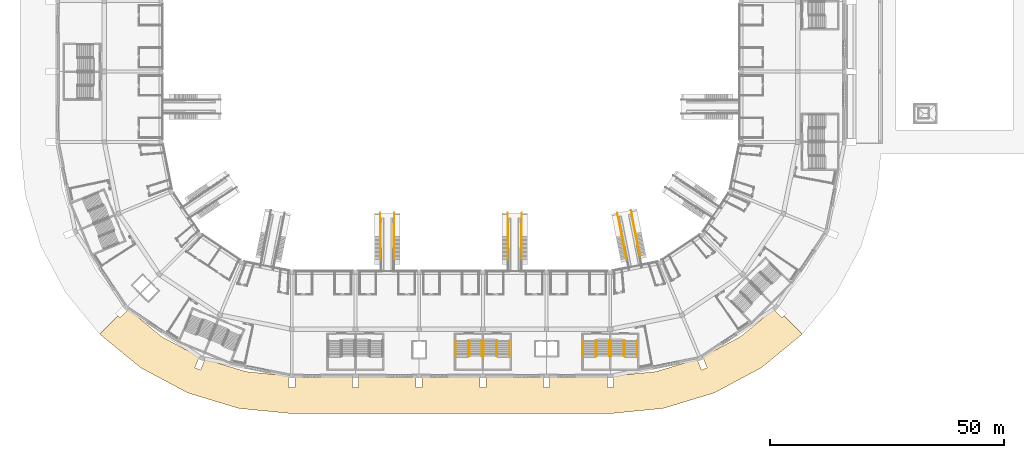
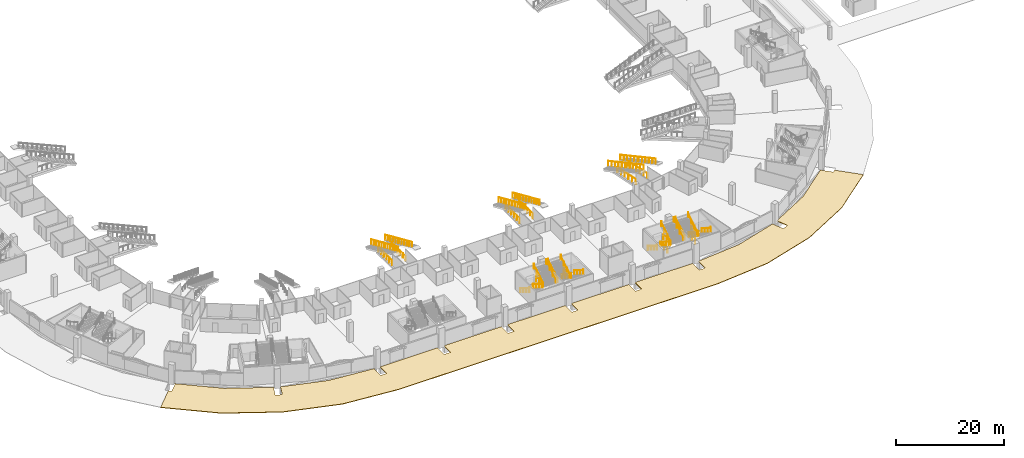
# One storey, part 156 of 175: 40 railings, 1 covering.
"""IFC4 building model written with IfcOpenShell, lengths in metres."""

from ifc_helpers import new_model, si_unit, direction, frame, origin, origin_2d, place, context, subcontext, project, spatial, polyline, circle, outline, extrude, material, layer, layer_set, type_object, element, save


model = new_model("IFC4")

# Units and contexts
model_context = context("Model", 3, precision=1e-05, world=origin(), true_north=direction((0.0, 1.0)))
body_context = subcontext(model_context, "Body", "Model", "MODEL_VIEW")
ifc_project = project(units=[si_unit("LENGTHUNIT", "METRE"), si_unit("AREAUNIT", "SQUARE_METRE"), si_unit("VOLUMEUNIT", "CUBIC_METRE"), si_unit("PLANEANGLEUNIT", "RADIAN"), si_unit("MASSUNIT", "GRAM", prefix="KILO")], contexts=[model_context])

# Site, building, storey
site_placement = place(None, origin())
site = spatial("IfcSite", under=ifc_project, at=site_placement, CompositionType="ELEMENT")
building_placement = place(site_placement, origin())
building = spatial("IfcBuilding", under=site, at=building_placement, Name="Ogive Plaza Stadium", CompositionType="ELEMENT")
storey_placement = place(building_placement, origin())
storey = spatial("IfcBuildingStorey", under=building, at=storey_placement, Name="L00", CompositionType="ELEMENT", Elevation=0.0)

# Railings
ifc_material_1 = material(Name="Steel ASTM A572 Grade 50", Category="steel")
railing_type_1 = type_object("IfcRailingType", Name="Guard 1100", PredefinedType="GUARDRAIL", material=ifc_material_1)
for number, where, name in (
    (1, (31.02490234375, -94.85009765625, 0.0), "Stair well guard ST12A L00"),
    (2, (31.02490234375, -95.81005859375, 2.25), "Stair well guard ST12A L00"),
    (3, (36.97509765625, -94.85009765625, 0.0), "Stair well guard ST12B L00"),
    (4, (36.97509765625, -95.81005859375, 2.25), "Stair well guard ST12B L00"),
    (5, (3.824951171875, -95.81005859375, 2.25), "Stair well guard ST14A L00"),
    (6, (9.77490234375, -95.81005859375, 2.25), "Stair well guard ST14B L00"),
):
    element("IfcRailing", number, at=place(storey_placement, frame(where)), inside=storey, type_object=railing_type_1, Name=name, PredefinedType="GUARDRAIL", context=body_context, shape_type="SweptSolid", body=[
        extrude(circle(Radius=0.02392578125, at=origin_2d()), frame((0.0, 0.0, 1.076171875), z_axis=(0.0, -1.0, 0.0), x_axis=(1.0, 0.0, 0.0)), (0.0, 0.0, 1.0), 2.39990234375),
        extrude(circle(Radius=0.02099609375, at=origin_2d()), origin(), (0.0, 0.0, 1.0), 1.052001953125),
        extrude(circle(Radius=0.02099609375, at=origin_2d()), frame((0.0, -1.199951171875, 0.0)), (0.0, 0.0, 1.0), 1.052001953125),
        extrude(circle(Radius=0.02099609375, at=origin_2d()), frame((0.0, -2.39990234375, 0.0)), (0.0, 0.0, 1.0), 1.052001953125),
    ])
for number, where, name in (
    (7, (35.484375, -67.651611328125, 0.125), "Vomitory guard B11"),
    (8, (36.4794921875, -72.653564453125, 2.375), "Vomitory guard B11"),
    (9, (38.4267578125, -67.066162109375, 0.125), "Vomitory guard B11"),
):
    element("IfcRailing", number, at=place(storey_placement, frame(where)), inside=storey, type_object=railing_type_1, Name=name, PredefinedType="GUARDRAIL", context=body_context, shape_type="SweptSolid", body=[
        extrude(circle(Radius=0.02392578125, at=origin_2d()), frame((0.0, 0.0, 1.076171875), z_axis=(0.178493692695, -0.897337738024, 0.403639672959), x_axis=(0.980784837267, 0.1950925498, 0.0)), (0.0, 0.0, 1.0), 5.2646484375),
        extrude(circle(Radius=0.02099609375, at=origin_2d()), origin(), (0.0, 0.0, 1.0), 1.052001953125),
        extrude(circle(Radius=0.02099609375, at=origin_2d()), frame((0.18798828125, -0.94482421875, 0.425048828125)), (0.0, 0.0, 1.0), 1.052001953125),
        extrude(circle(Radius=0.02099609375, at=origin_2d()), frame((0.3759765625, -1.8896484375, 0.85009765625)), (0.0, 0.0, 1.0), 1.052001953125),
        extrude(circle(Radius=0.02099609375, at=origin_2d()), frame((0.563720703125, -2.83447265625, 1.27490234375)), (0.0, 0.0, 1.0), 1.052001953125),
        extrude(circle(Radius=0.02099609375, at=origin_2d()), frame((0.751708984375, -3.779296875, 1.699951171875)), (0.0, 0.0, 1.0), 1.052001953125),
        extrude(circle(Radius=0.02099609375, at=origin_2d()), frame((0.939697265625, -4.72412109375, 2.125)), (0.0, 0.0, 1.0), 1.052001953125),
    ])
railing_placement = place(storey_placement, frame((39.421875, -72.068359375, 2.375)))
element("IfcRailing", 10, at=railing_placement, inside=storey, type_object=railing_type_1, Name="Vomitory guard B11", PredefinedType="GUARDRAIL", context=body_context, shape_type="SweptSolid", body=[
    extrude(circle(Radius=0.02392578125, at=origin_2d()), frame((0.0, 0.0, 1.076171875), z_axis=(0.178448795571, -0.897345164841, 0.403643013684), x_axis=(0.980794534709, 0.195043791709, 0.0)), (0.0, 0.0, 1.0), 5.2646484375),
    extrude(circle(Radius=0.02099609375, at=origin_2d()), origin(), (0.0, 0.0, 1.0), 1.052001953125),
    extrude(circle(Radius=0.02099609375, at=origin_2d()), frame((0.18798828125, -0.94482421875, 0.425048828125)), (0.0, 0.0, 1.0), 1.052001953125),
    extrude(circle(Radius=0.02099609375, at=origin_2d()), frame((0.375732421875, -1.8896484375, 0.85009765625)), (0.0, 0.0, 1.0), 1.052001953125),
    extrude(circle(Radius=0.02099609375, at=origin_2d()), frame((0.563720703125, -2.83447265625, 1.27490234375)), (0.0, 0.0, 1.0), 1.052001953125),
    extrude(circle(Radius=0.02099609375, at=origin_2d()), frame((0.75146484375, -3.779296875, 1.699951171875)), (0.0, 0.0, 1.0), 1.052001953125),
    extrude(circle(Radius=0.02099609375, at=origin_2d()), frame((0.939453125, -4.72412109375, 2.125)), (0.0, 0.0, 1.0), 1.052001953125),
])
for number, where, name in (
    (11, (36.04931640625, -70.081298828125, 0.0), "Vomitory edge guard B11"),
    (12, (38.834716796875, -69.52734375, 0.0), "Vomitory edge guard B11"),
):
    element("IfcRailing", number, at=place(storey_placement, frame(where)), inside=storey, type_object=railing_type_1, Name=name, PredefinedType="GUARDRAIL", context=body_context, shape_type="SweptSolid", body=[
        extrude(circle(Radius=0.02392578125, at=origin_2d()), frame((0.0, 0.0, 1.076171875), z_axis=(0.195105414578, -0.980782278185, 0.0), x_axis=(0.980782278185, 0.195105414578, 0.0)), (0.0, 0.0, 1.0), 5.15673828125),
        extrude(circle(Radius=0.02099609375, at=origin_2d()), origin(), (0.0, 0.0, 1.0), 1.052001953125),
        extrude(circle(Radius=0.02099609375, at=origin_2d()), frame((0.201171875, -1.011474609375, 0.0)), (0.0, 0.0, 1.0), 1.052001953125),
        extrude(circle(Radius=0.02099609375, at=origin_2d()), frame((0.40234375, -2.02294921875, 0.0)), (0.0, 0.0, 1.0), 1.052001953125),
        extrude(circle(Radius=0.02099609375, at=origin_2d()), frame((0.603759765625, -3.03466796875, 0.0)), (0.0, 0.0, 1.0), 1.052001953125),
        extrude(circle(Radius=0.02099609375, at=origin_2d()), frame((0.804931640625, -4.046142578125, 0.0)), (0.0, 0.0, 1.0), 1.052001953125),
        extrude(circle(Radius=0.02099609375, at=origin_2d()), frame((1.006103515625, -5.0576171875, 0.0)), (0.0, 0.0, 1.0), 1.052001953125),
    ])
for number, where, name in (
    (13, (12.10009765625, -67.64990234375, 0.125), "Vomitory guard B13"),
    (14, (12.10009765625, -72.75, 2.375), "Vomitory guard B13"),
    (15, (15.10009765625, -67.64990234375, 0.125), "Vomitory guard B13"),
    (16, (15.10009765625, -72.75, 2.375), "Vomitory guard B13"),
):
    element("IfcRailing", number, at=place(storey_placement, frame(where)), inside=storey, type_object=railing_type_1, Name=name, PredefinedType="GUARDRAIL", context=body_context, shape_type="SweptSolid", body=[
        extrude(circle(Radius=0.02392578125, at=origin_2d()), frame((0.0, 0.0, 1.076171875), z_axis=(0.0, -0.914917297869, 0.403641348302), x_axis=(1.0, 0.0, 0.0)), (0.0, 0.0, 1.0), 5.2646484375),
        extrude(circle(Radius=0.02099609375, at=origin_2d()), origin(), (0.0, 0.0, 1.0), 1.052001953125),
        extrude(circle(Radius=0.02099609375, at=origin_2d()), frame((0.0, -0.96337890625, 0.425048828125)), (0.0, 0.0, 1.0), 1.052001953125),
        extrude(circle(Radius=0.02099609375, at=origin_2d()), frame((0.0, -1.9267578125, 0.85009765625)), (0.0, 0.0, 1.0), 1.052001953125),
        extrude(circle(Radius=0.02099609375, at=origin_2d()), frame((0.0, -2.889892578125, 1.27490234375)), (0.0, 0.0, 1.0), 1.052001953125),
        extrude(circle(Radius=0.02099609375, at=origin_2d()), frame((0.0, -3.853271484375, 1.699951171875)), (0.0, 0.0, 1.0), 1.052001953125),
        extrude(circle(Radius=0.02099609375, at=origin_2d()), frame((0.0, -4.816650390625, 2.125)), (0.0, 0.0, 1.0), 1.052001953125),
    ])
for number, where, name in (
    (17, (12.179931640625, -70.143310546875, 0.0), "Vomitory edge guard B13"),
    (18, (15.02001953125, -70.143310546875, 0.0), "Vomitory edge guard B13"),
):
    element("IfcRailing", number, at=place(storey_placement, frame(where)), inside=storey, type_object=railing_type_1, Name=name, PredefinedType="GUARDRAIL", context=body_context, shape_type="SweptSolid", body=[
        extrude(circle(Radius=0.02392578125, at=origin_2d()), frame((0.0, 0.0, 1.076171875), z_axis=(0.0, -1.0, 0.0), x_axis=(1.0, 0.0, 0.0)), (0.0, 0.0, 1.0), 5.15673828125),
        extrude(circle(Radius=0.02099609375, at=origin_2d()), origin(), (0.0, 0.0, 1.0), 1.052001953125),
        extrude(circle(Radius=0.02099609375, at=origin_2d()), frame((0.0, -1.03125, 0.0)), (0.0, 0.0, 1.0), 1.052001953125),
        extrude(circle(Radius=0.02099609375, at=origin_2d()), frame((0.0, -2.062744140625, 0.0)), (0.0, 0.0, 1.0), 1.052001953125),
        extrude(circle(Radius=0.02099609375, at=origin_2d()), frame((0.0, -3.093994140625, 0.0)), (0.0, 0.0, 1.0), 1.052001953125),
        extrude(circle(Radius=0.02099609375, at=origin_2d()), frame((0.0, -4.12548828125, 0.0)), (0.0, 0.0, 1.0), 1.052001953125),
        extrude(circle(Radius=0.02099609375, at=origin_2d()), frame((0.0, -5.15673828125, 0.0)), (0.0, 0.0, 1.0), 1.052001953125),
    ])
for number, where, name in (
    (19, (-15.10009765625, -67.64990234375, 0.125), "Vomitory guard B15"),
    (20, (-15.10009765625, -72.75, 2.375), "Vomitory guard B15"),
    (21, (-12.10009765625, -67.64990234375, 0.125), "Vomitory guard B15"),
    (22, (-12.10009765625, -72.75, 2.375), "Vomitory guard B15"),
):
    element("IfcRailing", number, at=place(storey_placement, frame(where)), inside=storey, type_object=railing_type_1, Name=name, PredefinedType="GUARDRAIL", context=body_context, shape_type="SweptSolid", body=[
        extrude(circle(Radius=0.02392578125, at=origin_2d()), frame((0.0, 0.0, 1.076171875), z_axis=(0.0, -0.914917297869, 0.403641348302), x_axis=(1.0, 0.0, 0.0)), (0.0, 0.0, 1.0), 5.2646484375),
        extrude(circle(Radius=0.02099609375, at=origin_2d()), origin(), (0.0, 0.0, 1.0), 1.052001953125),
        extrude(circle(Radius=0.02099609375, at=origin_2d()), frame((0.0, -0.96337890625, 0.425048828125)), (0.0, 0.0, 1.0), 1.052001953125),
        extrude(circle(Radius=0.02099609375, at=origin_2d()), frame((0.0, -1.9267578125, 0.85009765625)), (0.0, 0.0, 1.0), 1.052001953125),
        extrude(circle(Radius=0.02099609375, at=origin_2d()), frame((0.0, -2.889892578125, 1.27490234375)), (0.0, 0.0, 1.0), 1.052001953125),
        extrude(circle(Radius=0.02099609375, at=origin_2d()), frame((0.0, -3.853271484375, 1.699951171875)), (0.0, 0.0, 1.0), 1.052001953125),
        extrude(circle(Radius=0.02099609375, at=origin_2d()), frame((0.0, -4.816650390625, 2.125)), (0.0, 0.0, 1.0), 1.052001953125),
    ])
for number, where, name in (
    (23, (-15.02001953125, -70.143310546875, 0.0), "Vomitory edge guard B15"),
    (24, (-12.179931640625, -70.143310546875, 0.0), "Vomitory edge guard B15"),
):
    element("IfcRailing", number, at=place(storey_placement, frame(where)), inside=storey, type_object=railing_type_1, Name=name, PredefinedType="GUARDRAIL", context=body_context, shape_type="SweptSolid", body=[
        extrude(circle(Radius=0.02392578125, at=origin_2d()), frame((0.0, 0.0, 1.076171875), z_axis=(0.0, -1.0, 0.0), x_axis=(1.0, 0.0, 0.0)), (0.0, 0.0, 1.0), 5.15673828125),
        extrude(circle(Radius=0.02099609375, at=origin_2d()), origin(), (0.0, 0.0, 1.0), 1.052001953125),
        extrude(circle(Radius=0.02099609375, at=origin_2d()), frame((0.0, -1.03125, 0.0)), (0.0, 0.0, 1.0), 1.052001953125),
        extrude(circle(Radius=0.02099609375, at=origin_2d()), frame((0.0, -2.062744140625, 0.0)), (0.0, 0.0, 1.0), 1.052001953125),
        extrude(circle(Radius=0.02099609375, at=origin_2d()), frame((0.0, -3.093994140625, 0.0)), (0.0, 0.0, 1.0), 1.052001953125),
        extrude(circle(Radius=0.02099609375, at=origin_2d()), frame((0.0, -4.12548828125, 0.0)), (0.0, 0.0, 1.0), 1.052001953125),
        extrude(circle(Radius=0.02099609375, at=origin_2d()), frame((0.0, -5.15673828125, 0.0)), (0.0, 0.0, 1.0), 1.052001953125),
    ])
ifc_material_2 = material(Name="Steel ASTM A572 Grade 50", Category="steel")
railing_type_2 = type_object("IfcRailingType", Name="Handrail 900", PredefinedType="HANDRAIL", material=ifc_material_2)
for number, where, name in (
    (25, (28.235107421875, -94.85009765625, 0.173095703125), "Handrail ST12A L00"),
    (26, (30.9150390625, -94.85009765625, 0.173095703125), "Handrail ST12A L00"),
):
    element("IfcRailing", number, at=place(storey_placement, frame(where)), inside=storey, type_object=railing_type_2, Name=name, PredefinedType="HANDRAIL", context=body_context, shape_type="SweptSolid", body=[
        extrude(circle(Radius=0.02392578125, at=origin_2d()), frame((0.0, 0.0, 0.8759765625), z_axis=(0.0, -0.850606129759, 0.525803396734), x_axis=(1.0, 0.0, 0.0)), (0.0, 0.0, 1.0), 3.949951171875),
        extrude(circle(Radius=0.02099609375, at=origin_2d()), origin(), (0.0, 0.0, 1.0), 0.851806640625),
        extrude(circle(Radius=0.02099609375, at=origin_2d()), frame((0.0, -1.119873046875, 0.6923828125)), (0.0, 0.0, 1.0), 0.851806640625),
        extrude(circle(Radius=0.02099609375, at=origin_2d()), frame((0.0, -2.239990234375, 1.384521484375)), (0.0, 0.0, 1.0), 0.851806640625),
        extrude(circle(Radius=0.02099609375, at=origin_2d()), frame((0.0, -3.35986328125, 2.076904296875)), (0.0, 0.0, 1.0), 1.10009765625),
    ])
for number, where, name in (
    (27, (31.135009765625, -98.2099609375, 2.423095703125), "Handrail ST12A L00"),
    (28, (33.81494140625, -98.2099609375, 2.423095703125), "Handrail ST12A L00"),
):
    element("IfcRailing", number, at=place(storey_placement, frame(where)), inside=storey, type_object=railing_type_2, Name=name, PredefinedType="HANDRAIL", context=body_context, shape_type="SweptSolid", body=[
        extrude(circle(Radius=0.02392578125, at=origin_2d()), frame((0.0, 0.0, 0.8759765625), z_axis=(0.0, 0.850606129759, 0.525803396734), x_axis=(-1.0, 0.0, 0.0)), (0.0, 0.0, 1.0), 3.949951171875),
        extrude(circle(Radius=0.02099609375, at=origin_2d()), origin(), (0.0, 0.0, 1.0), 0.851806640625),
        extrude(circle(Radius=0.02099609375, at=origin_2d()), frame((0.0, 1.119873046875, 0.6923828125)), (0.0, 0.0, 1.0), 0.851806640625),
        extrude(circle(Radius=0.02099609375, at=origin_2d()), frame((0.0, 2.239990234375, 1.384521484375)), (0.0, 0.0, 1.0), 0.851806640625),
        extrude(circle(Radius=0.02099609375, at=origin_2d()), frame((0.0, 3.35986328125, 2.076904296875)), (0.0, 0.0, 1.0), 1.10009765625),
    ])
for number, where, name in (
    (29, (37.0849609375, -94.85009765625, 0.173095703125), "Handrail ST12B L00"),
    (30, (39.764892578125, -94.85009765625, 0.173095703125), "Handrail ST12B L00"),
):
    element("IfcRailing", number, at=place(storey_placement, frame(where)), inside=storey, type_object=railing_type_2, Name=name, PredefinedType="HANDRAIL", context=body_context, shape_type="SweptSolid", body=[
        extrude(circle(Radius=0.02392578125, at=origin_2d()), frame((0.0, 0.0, 0.8759765625), z_axis=(0.0, -0.850606129759, 0.525803396734), x_axis=(1.0, 0.0, 0.0)), (0.0, 0.0, 1.0), 3.949951171875),
        extrude(circle(Radius=0.02099609375, at=origin_2d()), origin(), (0.0, 0.0, 1.0), 0.851806640625),
        extrude(circle(Radius=0.02099609375, at=origin_2d()), frame((0.0, -1.119873046875, 0.6923828125)), (0.0, 0.0, 1.0), 0.851806640625),
        extrude(circle(Radius=0.02099609375, at=origin_2d()), frame((0.0, -2.239990234375, 1.384521484375)), (0.0, 0.0, 1.0), 0.851806640625),
        extrude(circle(Radius=0.02099609375, at=origin_2d()), frame((0.0, -3.35986328125, 2.076904296875)), (0.0, 0.0, 1.0), 1.10009765625),
    ])
for number, where, name in (
    (31, (34.18505859375, -98.2099609375, 2.423095703125), "Handrail ST12B L00"),
    (32, (36.864990234375, -98.2099609375, 2.423095703125), "Handrail ST12B L00"),
):
    element("IfcRailing", number, at=place(storey_placement, frame(where)), inside=storey, type_object=railing_type_2, Name=name, PredefinedType="HANDRAIL", context=body_context, shape_type="SweptSolid", body=[
        extrude(circle(Radius=0.02392578125, at=origin_2d()), frame((0.0, 0.0, 0.8759765625), z_axis=(0.0, 0.850606129759, 0.525803396734), x_axis=(-1.0, 0.0, 0.0)), (0.0, 0.0, 1.0), 3.949951171875),
        extrude(circle(Radius=0.02099609375, at=origin_2d()), origin(), (0.0, 0.0, 1.0), 0.851806640625),
        extrude(circle(Radius=0.02099609375, at=origin_2d()), frame((0.0, 1.119873046875, 0.6923828125)), (0.0, 0.0, 1.0), 0.851806640625),
        extrude(circle(Radius=0.02099609375, at=origin_2d()), frame((0.0, 2.239990234375, 1.384521484375)), (0.0, 0.0, 1.0), 0.851806640625),
        extrude(circle(Radius=0.02099609375, at=origin_2d()), frame((0.0, 3.35986328125, 2.076904296875)), (0.0, 0.0, 1.0), 1.10009765625),
    ])
for number, where, name in (
    (33, (1.034912109375, -94.85009765625, 0.173095703125), "Handrail ST14A L00"),
    (34, (3.715087890625, -94.85009765625, 0.173095703125), "Handrail ST14A L00"),
):
    element("IfcRailing", number, at=place(storey_placement, frame(where)), inside=storey, type_object=railing_type_2, Name=name, PredefinedType="HANDRAIL", context=body_context, shape_type="SweptSolid", body=[
        extrude(circle(Radius=0.02392578125, at=origin_2d()), frame((0.0, 0.0, 0.8759765625), z_axis=(0.0, -0.850606129759, 0.525803396734), x_axis=(1.0, 0.0, 0.0)), (0.0, 0.0, 1.0), 3.949951171875),
        extrude(circle(Radius=0.02099609375, at=origin_2d()), origin(), (0.0, 0.0, 1.0), 0.851806640625),
        extrude(circle(Radius=0.02099609375, at=origin_2d()), frame((0.0, -1.119873046875, 0.6923828125)), (0.0, 0.0, 1.0), 0.851806640625),
        extrude(circle(Radius=0.02099609375, at=origin_2d()), frame((0.0, -2.239990234375, 1.384521484375)), (0.0, 0.0, 1.0), 0.851806640625),
        extrude(circle(Radius=0.02099609375, at=origin_2d()), frame((0.0, -3.35986328125, 2.076904296875)), (0.0, 0.0, 1.0), 1.10009765625),
    ])
for number, where, name in (
    (35, (3.93505859375, -98.2099609375, 2.423095703125), "Handrail ST14A L00"),
    (36, (6.614990234375, -98.2099609375, 2.423095703125), "Handrail ST14A L00"),
):
    element("IfcRailing", number, at=place(storey_placement, frame(where)), inside=storey, type_object=railing_type_2, Name=name, PredefinedType="HANDRAIL", context=body_context, shape_type="SweptSolid", body=[
        extrude(circle(Radius=0.02392578125, at=origin_2d()), frame((0.0, 0.0, 0.8759765625), z_axis=(0.0, 0.850606129759, 0.525803396734), x_axis=(-1.0, 0.0, 0.0)), (0.0, 0.0, 1.0), 3.949951171875),
        extrude(circle(Radius=0.02099609375, at=origin_2d()), origin(), (0.0, 0.0, 1.0), 0.851806640625),
        extrude(circle(Radius=0.02099609375, at=origin_2d()), frame((0.0, 1.119873046875, 0.6923828125)), (0.0, 0.0, 1.0), 0.851806640625),
        extrude(circle(Radius=0.02099609375, at=origin_2d()), frame((0.0, 2.239990234375, 1.384521484375)), (0.0, 0.0, 1.0), 0.851806640625),
        extrude(circle(Radius=0.02099609375, at=origin_2d()), frame((0.0, 3.35986328125, 2.076904296875)), (0.0, 0.0, 1.0), 1.10009765625),
    ])
for number, where, name in (
    (37, (9.885009765625, -94.85009765625, 0.173095703125), "Handrail ST14B L00"),
    (38, (12.56494140625, -94.85009765625, 0.173095703125), "Handrail ST14B L00"),
):
    element("IfcRailing", number, at=place(storey_placement, frame(where)), inside=storey, type_object=railing_type_2, Name=name, PredefinedType="HANDRAIL", context=body_context, shape_type="SweptSolid", body=[
        extrude(circle(Radius=0.02392578125, at=origin_2d()), frame((0.0, 0.0, 0.8759765625), z_axis=(0.0, -0.850606129759, 0.525803396734), x_axis=(1.0, 0.0, 0.0)), (0.0, 0.0, 1.0), 3.949951171875),
        extrude(circle(Radius=0.02099609375, at=origin_2d()), origin(), (0.0, 0.0, 1.0), 0.851806640625),
        extrude(circle(Radius=0.02099609375, at=origin_2d()), frame((0.0, -1.119873046875, 0.6923828125)), (0.0, 0.0, 1.0), 0.851806640625),
        extrude(circle(Radius=0.02099609375, at=origin_2d()), frame((0.0, -2.239990234375, 1.384521484375)), (0.0, 0.0, 1.0), 0.851806640625),
        extrude(circle(Radius=0.02099609375, at=origin_2d()), frame((0.0, -3.35986328125, 2.076904296875)), (0.0, 0.0, 1.0), 1.10009765625),
    ])
for number, where, name in (
    (39, (6.985107421875, -98.2099609375, 2.423095703125), "Handrail ST14B L00"),
    (40, (9.6650390625, -98.2099609375, 2.423095703125), "Handrail ST14B L00"),
):
    element("IfcRailing", number, at=place(storey_placement, frame(where)), inside=storey, type_object=railing_type_2, Name=name, PredefinedType="HANDRAIL", context=body_context, shape_type="SweptSolid", body=[
        extrude(circle(Radius=0.02392578125, at=origin_2d()), frame((0.0, 0.0, 0.8759765625), z_axis=(0.0, 0.850606129759, 0.525803396734), x_axis=(-1.0, 0.0, 0.0)), (0.0, 0.0, 1.0), 3.949951171875),
        extrude(circle(Radius=0.02099609375, at=origin_2d()), origin(), (0.0, 0.0, 1.0), 0.851806640625),
        extrude(circle(Radius=0.02099609375, at=origin_2d()), frame((0.0, 1.119873046875, 0.6923828125)), (0.0, 0.0, 1.0), 0.851806640625),
        extrude(circle(Radius=0.02099609375, at=origin_2d()), frame((0.0, 2.239990234375, 1.384521484375)), (0.0, 0.0, 1.0), 0.851806640625),
        extrude(circle(Radius=0.02099609375, at=origin_2d()), frame((0.0, 3.35986328125, 2.076904296875)), (0.0, 0.0, 1.0), 1.10009765625),
    ])

# Covering
ifc_material_3 = material(Name="Granite paving", Category="masonry")
ifc_layer = layer(ifc_material_3, 0.1201171875)
ifc_layer_set = layer_set([ifc_layer], Name="Paving 120")
covering_type = type_object("IfcCoveringType", Name="Paving 120", PredefinedType="USERDEFINED", material=ifc_layer_set)
covering_placement = place(storey_placement, frame((0.0, 0.0, -0.1201171875)))
element("IfcCovering", 41, at=covering_placement, inside=storey, type_object=covering_type, Name="Paving South 3", ObjectType="PAVING", PredefinedType="USERDEFINED", context=body_context, shape_type="SweptSolid", body=[
    extrude(outline(polyline([(-66.22314453125, -100.725341796875), (-75.01220703125, -93.51220703125), (-75.01220703125, -93.51220703125), (-71.087646484375, -89.587646484375), (-70.628173828125, -90.04736328125), (-68.8603515625, -88.279541015625), (-68.9609375, -88.178955078125), (-61.778564453125, -94.073486328125), (-53.583984375, -98.45361328125), (-53.715576171875, -98.39892578125), (-54.67236328125, -100.708740234375), (-53.47119140625, -101.206298828125), (-52.514404296875, -98.896484375), (-52.64599609375, -98.842041015625), (-43.75439453125, -101.539306640625), (-34.507568359375, -102.449951171875), (-34.64990234375, -102.449951171875), (-34.64990234375, -104.949951171875), (-33.35009765625, -104.949951171875), (-33.35009765625, -102.5), (-21.050048828125, -102.5), (-21.050048828125, -104.949951171875), (-19.75, -104.949951171875), (-19.75, -102.5), (-7.449951171875, -102.5), (-7.449951171875, -104.949951171875), (-6.14990234375, -104.949951171875), (-6.14990234375, -102.5), (6.14990234375, -102.5), (6.14990234375, -104.949951171875), (7.449951171875, -104.949951171875), (7.449951171875, -102.5), (19.75, -102.5), (19.75, -104.949951171875), (21.050048828125, -104.949951171875), (21.050048828125, -102.5), (33.35009765625, -102.5), (33.35009765625, -104.949951171875), (34.64990234375, -104.949951171875), (34.64990234375, -102.449951171875), (34.507568359375, -102.449951171875), (43.75439453125, -101.539306640625), (52.64599609375, -98.842041015625), (52.514404296875, -98.896484375), (53.47119140625, -101.206298828125), (54.67236328125, -100.708740234375), (53.715576171875, -98.39892578125), (53.583984375, -98.45361328125), (61.778564453125, -94.073486328125), (68.9609375, -88.178955078125), (68.8603515625, -88.279541015625), (70.628173828125, -90.04736328125), (71.087646484375, -89.587646484375), (75.01220703125, -93.51220703125), (66.22314453125, -100.725341796875), (56.195556640625, -106.0849609375), (45.315185546875, -109.385498046875), (34.0, -110.5), (-34.0, -110.5), (-45.315185546875, -109.385498046875), (-56.195556640625, -106.0849609375), (-66.22314453125, -100.725341796875)])), origin(), (0.0, 0.0, 1.0), 0.1201171875),
])

save(model, "model.ifc")
